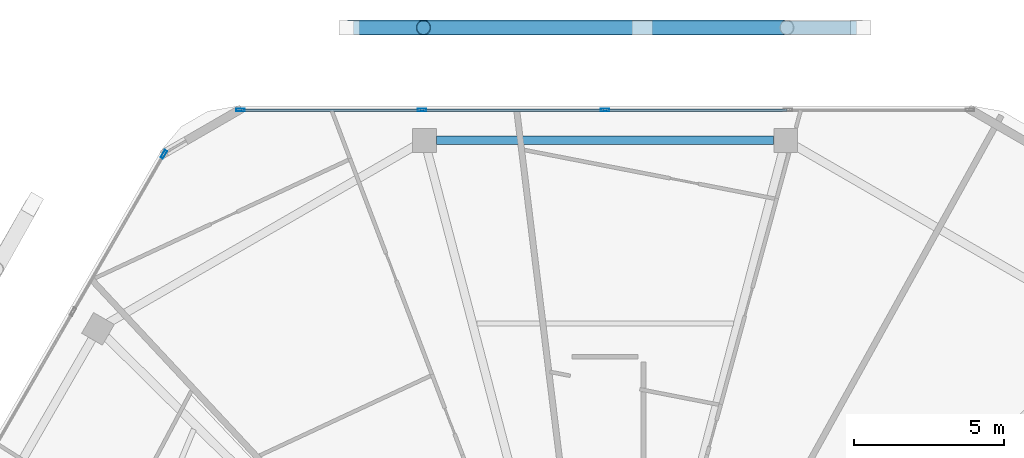
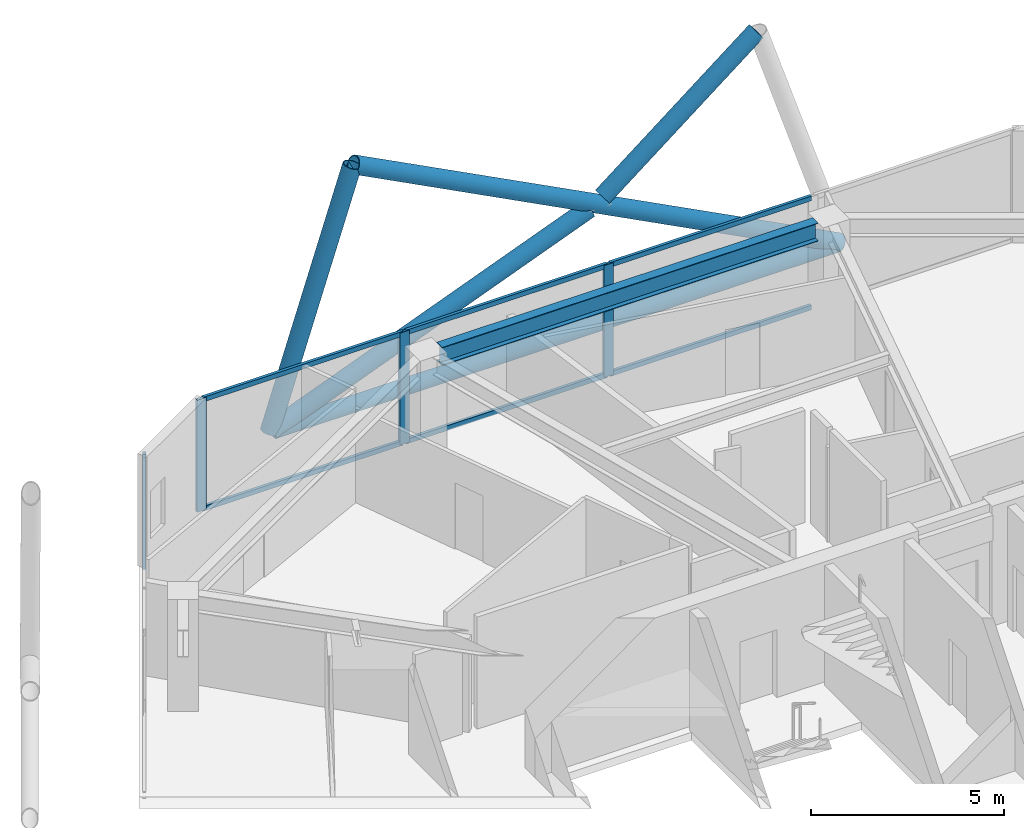
# One storey, part 11 of 23: 15 members, 1 beam, 2 elements without a shape of their own.
"""IFC4 building model written with IfcOpenShell, lengths in metres."""

from ifc_helpers import new_model, si_unit, direction, frame, origin, origin_2d, place, context, subcontext, project, spatial, hollow_rectangle, hollow_circle, i_section, extrude, material, material_profile, profile_set, type_object, element, aggregate, save


model = new_model("IFC4")

# Units and contexts
model_context = context("Model", 3, precision=1e-05, world=origin(), true_north=direction((0.0, 1.0)))
body_context = subcontext(model_context, "Body", "Model", "MODEL_VIEW")
ifc_project = project(units=[si_unit("LENGTHUNIT", "METRE"), si_unit("AREAUNIT", "SQUARE_METRE"), si_unit("VOLUMEUNIT", "CUBIC_METRE"), si_unit("PLANEANGLEUNIT", "RADIAN"), si_unit("MASSUNIT", "GRAM", prefix="KILO")], contexts=[model_context])

# Site, building, storey
site_placement = place(None, origin())
site = spatial("IfcSite", under=ifc_project, at=site_placement, CompositionType="ELEMENT")
building_placement = place(site_placement, origin())
building = spatial("IfcBuilding", under=site, at=building_placement, Name="Zuhravey Tower", CompositionType="ELEMENT")
storey_placement = place(building_placement, frame((0.0, 0.0, 331.0)))
storey = spatial("IfcBuildingStorey", under=building, at=storey_placement, Name="L84", CompositionType="ELEMENT", Elevation=331.0)

# Curtain wall, member
ifc_material_1 = material(Name="Thermally broken anodised aluminium", Category="aluminium")
curtain_wall_type = type_object("IfcCurtainWallType", Name="Zone 3-4 High-Rise Curtain Wall CW4", PredefinedType="NOTDEFINED", material=ifc_material_1)
curtain_wall_1_placement = place(storey_placement, origin())
curtain_wall_1 = element("IfcCurtainWall", 1, at=curtain_wall_1_placement, inside=storey, type_object=curtain_wall_type, Name="L84 CW4 CW-L84-F3-1", PredefinedType="NOTDEFINED")
ifc_material_2 = material(Name="Anodised aluminium", Category="aluminium")
ifc_material_profile_1 = material_profile(ifc_material_2, hollow_rectangle(XDim=0.090087890625, YDim=0.284912109375, WallThickness=0.0048828125, at=origin_2d()), Name="ALU-RHS-90x285x5")
ifc_profile_set_1 = profile_set([ifc_material_profile_1], Name="Anodised aluminium")
member_type_1 = type_object("IfcMemberType", Name="Curtain-Wall Mullion 90x180", PredefinedType="MULLION", material=ifc_profile_set_1)
member_1_placement = place(storey_placement, frame((21.248291015625, 54.59765625, 0.0), z_axis=(0.0, 0.0, 1.0), x_axis=(-0.866025511541, 0.49999981336, 0.0)))
member_1 = element("IfcMember", 2, at=member_1_placement, type_object=member_type_1, Name="CW4 mullion 5", PredefinedType="MULLION", context=body_context, shape_type="SweptSolid", body=[
    extrude(hollow_rectangle(XDim=0.090087890625, YDim=0.284912109375, WallThickness=0.0048828125, at=origin_2d()), origin(), (0.0, 0.0, 1.0), 3.550048828125),
])
aggregate(curtain_wall_1, [member_1])

# Curtain wall, members
curtain_wall_2_placement = place(storey_placement, origin())
curtain_wall_2 = element("IfcCurtainWall", 3, at=curtain_wall_2_placement, inside=storey, type_object=curtain_wall_type, Name="L84 CW4 CW-L84-F2-1", PredefinedType="NOTDEFINED")
member_2_placement = place(storey_placement, frame((23.8056640625, 56.07421875, 0.0), z_axis=(0.0, 0.0, 1.0), x_axis=(0.0, 1.0, 0.0)))
member_2 = element("IfcMember", 4, at=member_2_placement, type_object=member_type_1, Name="CW4 mullion 1", PredefinedType="MULLION", context=body_context, shape_type="SweptSolid", body=[
    extrude(hollow_rectangle(XDim=0.090087890625, YDim=0.284912109375, WallThickness=0.0048828125, at=origin_2d()), origin(), (0.0, 0.0, 1.0), 3.550048828125),
])
member_3_placement = place(storey_placement, frame((29.88037109375, 56.07421875, 0.0), z_axis=(0.0, 0.0, 1.0), x_axis=(0.0, 1.0, 0.0)))
member_3 = element("IfcMember", 5, at=member_3_placement, type_object=member_type_1, Name="CW4 mullion 2", PredefinedType="MULLION", context=body_context, shape_type="SweptSolid", body=[
    extrude(hollow_rectangle(XDim=0.090087890625, YDim=0.284912109375, WallThickness=0.0048828125, at=origin_2d()), origin(), (0.0, 0.0, 1.0), 3.550048828125),
])
member_4_placement = place(storey_placement, frame((36.0, 56.07421875, 0.0), z_axis=(0.0, 0.0, 1.0), x_axis=(0.0, 1.0, 0.0)))
member_4 = element("IfcMember", 6, at=member_4_placement, type_object=member_type_1, Name="CW4 mullion 3", PredefinedType="MULLION", context=body_context, shape_type="SweptSolid", body=[
    extrude(hollow_rectangle(XDim=0.090087890625, YDim=0.284912109375, WallThickness=0.0048828125, at=origin_2d()), origin(), (0.0, 0.0, 1.0), 3.550048828125),
])
ifc_material_profile_2 = material_profile(ifc_material_2, hollow_rectangle(XDim=0.090087890625, YDim=0.14990234375, WallThickness=0.0048828125, at=origin_2d()), Name="ALU-RHS-90x150x5")
ifc_profile_set_2 = profile_set([ifc_material_profile_2], Name="Anodised aluminium")
member_type_2 = type_object("IfcMemberType", Name="Curtain-Wall Transom 90x150", PredefinedType="USERDEFINED", material=ifc_profile_set_2)
member_5_placement = place(storey_placement, frame((23.8505859375, 56.07421875, 0.044921875), z_axis=(1.0, 0.0, 0.0), x_axis=(0.0, 1.0, 0.0)))
member_5 = element("IfcMember", 7, at=member_5_placement, type_object=member_type_2, Name="CW4 transom 1.1", ObjectType="TRANSOM", PredefinedType="USERDEFINED", context=body_context, shape_type="SweptSolid", body=[
    extrude(hollow_rectangle(XDim=0.090087890625, YDim=0.14990234375, WallThickness=0.0048828125, at=origin_2d()), origin(), (0.0, 0.0, 1.0), 5.98486328125),
])
member_6_placement = place(storey_placement, frame((23.8505859375, 56.07421875, 3.5048828125), z_axis=(1.0, 0.0, 0.0), x_axis=(0.0, 1.0, 0.0)))
member_6 = element("IfcMember", 8, at=member_6_placement, type_object=member_type_2, Name="CW4 transom 1.2", ObjectType="TRANSOM", PredefinedType="USERDEFINED", context=body_context, shape_type="SweptSolid", body=[
    extrude(hollow_rectangle(XDim=0.090087890625, YDim=0.14990234375, WallThickness=0.0048828125, at=origin_2d()), origin(), (0.0, 0.0, 1.0), 5.98486328125),
])
member_7_placement = place(storey_placement, frame((29.92529296875, 56.07421875, 0.044921875), z_axis=(1.0, 0.0, 0.0), x_axis=(0.0, 1.0, 0.0)))
member_7 = element("IfcMember", 9, at=member_7_placement, type_object=member_type_2, Name="CW4 transom 2.1", ObjectType="TRANSOM", PredefinedType="USERDEFINED", context=body_context, shape_type="SweptSolid", body=[
    extrude(hollow_rectangle(XDim=0.090087890625, YDim=0.14990234375, WallThickness=0.0048828125, at=origin_2d()), origin(), (0.0, 0.0, 1.0), 6.02978515625),
])
member_8_placement = place(storey_placement, frame((29.92529296875, 56.07421875, 3.5048828125), z_axis=(1.0, 0.0, 0.0), x_axis=(0.0, 1.0, 0.0)))
member_8 = element("IfcMember", 10, at=member_8_placement, type_object=member_type_2, Name="CW4 transom 2.2", ObjectType="TRANSOM", PredefinedType="USERDEFINED", context=body_context, shape_type="SweptSolid", body=[
    extrude(hollow_rectangle(XDim=0.090087890625, YDim=0.14990234375, WallThickness=0.0048828125, at=origin_2d()), origin(), (0.0, 0.0, 1.0), 6.02978515625),
])
member_9_placement = place(storey_placement, frame((36.044921875, 56.07421875, 0.044921875), z_axis=(1.0, 0.0, 0.0), x_axis=(0.0, 1.0, 0.0)))
member_9 = element("IfcMember", 11, at=member_9_placement, type_object=member_type_2, Name="CW4 transom 3.1", ObjectType="TRANSOM", PredefinedType="USERDEFINED", context=body_context, shape_type="SweptSolid", body=[
    extrude(hollow_rectangle(XDim=0.090087890625, YDim=0.14990234375, WallThickness=0.0048828125, at=origin_2d()), origin(), (0.0, 0.0, 1.0), 6.02978515625),
])
member_10_placement = place(storey_placement, frame((36.044921875, 56.07421875, 3.5048828125), z_axis=(1.0, 0.0, 0.0), x_axis=(0.0, 1.0, 0.0)))
member_10 = element("IfcMember", 12, at=member_10_placement, type_object=member_type_2, Name="CW4 transom 3.2", ObjectType="TRANSOM", PredefinedType="USERDEFINED", context=body_context, shape_type="SweptSolid", body=[
    extrude(hollow_rectangle(XDim=0.090087890625, YDim=0.14990234375, WallThickness=0.0048828125, at=origin_2d()), origin(), (0.0, 0.0, 1.0), 6.02978515625),
])
aggregate(curtain_wall_2, [member_2, member_3, member_4, member_5, member_6, member_7, member_8, member_9, member_10])

# Members
ifc_material_3 = material(Name="Steel SM355", Category="steel")
ifc_material_profile_3 = material_profile(ifc_material_3, hollow_circle(Radius=0.228515625, WallThickness=0.02197265625, at=origin_2d()), Name="CHS-457.2x22")
ifc_profile_set_3 = profile_set([ifc_material_profile_3], Name="Steel SM355")
member_type_3 = type_object("IfcMemberType", Name="Exoskeleton Ring Tie CHS457x22", PredefinedType="CHORD", material=ifc_profile_set_3)
member_11_placement = place(storey_placement, frame((44.409423828125, 58.833984375, -0.464111328125), z_axis=(-1.0, 0.0, 0.0), x_axis=(0.0, -1.0, 0.0)))
element("IfcMember", 13, at=member_11_placement, inside=storey, type_object=member_type_3, Name="L84 Exoskeleton Face 2 Tie EXR1", PredefinedType="CHORD", context=body_context, shape_type="SweptSolid", body=[
    extrude(hollow_circle(Radius=0.228515625, WallThickness=0.02197265625, at=origin_2d()), origin(), (0.0, 0.0, 1.0), 16.81884765625),
])
ifc_material_profile_4 = material_profile(ifc_material_3, hollow_circle(Radius=0.25390625, WallThickness=0.02490234375, at=origin_2d()), Name="CHS-508.0x25")
ifc_profile_set_4 = profile_set([ifc_material_profile_4], Name="Steel SM355")
member_type_4 = type_object("IfcMemberType", Name="Exoskeleton Zone 4 Diagrid CHS508x25", PredefinedType="BRACE", material=ifc_profile_set_4)
member_12_placement = place(storey_placement, frame((44.518798828125, 58.833984375, -0.447998046875), z_axis=(-0.887234343801, 0.0, 0.461318999371), x_axis=(0.0, -1.0, 0.0)))
element("IfcMember", 14, at=member_12_placement, inside=storey, type_object=member_type_4, Name="L84 Face 2 Diagrid Brace 2", PredefinedType="BRACE", context=body_context, shape_type="SweptSolid", body=[
    extrude(hollow_circle(Radius=0.25390625, WallThickness=0.02490234375, at=origin_2d()), origin(), (0.0, 0.0, 1.0), 16.4052734375),
])
member_13_placement = place(storey_placement, frame((27.455810546875, 58.833984375, -0.447998046875), z_axis=(0.310453809256, 0.0, 0.950588466329), x_axis=(0.0, 1.0, 0.0)))
element("IfcMember", 15, at=member_13_placement, inside=storey, type_object=member_type_4, Name="L84 Face 2 Diagrid Brace 4", PredefinedType="BRACE", context=body_context, shape_type="SweptSolid", body=[
    extrude(hollow_circle(Radius=0.25390625, WallThickness=0.02490234375, at=origin_2d()), origin(), (0.0, 0.0, 1.0), 7.96142578125),
])
member_14_placement = place(storey_placement, frame((27.48291015625, 58.833984375, -0.451416015625), z_axis=(0.93224199469, 0.0, 0.361835409179), x_axis=(0.0, 1.0, 0.0)))
element("IfcMember", 16, at=member_14_placement, inside=storey, type_object=member_type_4, Name="L84 Face 2 Split Diagrid Brace 3A", PredefinedType="BRACE", context=body_context, shape_type="SweptSolid", body=[
    extrude(hollow_circle(Radius=0.25390625, WallThickness=0.02490234375, at=origin_2d()), origin(), (0.0, 0.0, 1.0), 10.223388671875),
])
member_15_placement = place(storey_placement, frame((37.432861328125, 58.833984375, 3.487060546875), z_axis=(0.785695252291, 0.0, 0.618613749061), x_axis=(0.0, 1.0, 0.0)))
element("IfcMember", 17, at=member_15_placement, inside=storey, type_object=member_type_4, Name="L84 Face 2 Split Diagrid Brace 3B", PredefinedType="BRACE", context=body_context, shape_type="SweptSolid", body=[
    extrude(hollow_circle(Radius=0.25390625, WallThickness=0.02490234375, at=origin_2d()), origin(), (0.0, 0.0, 1.0), 5.86376953125),
])

# Beam
ifc_material_profile_5 = material_profile(ifc_material_3, i_section(OverallWidth=0.280029296875, OverallDepth=0.580078125, WebThickness=0.011962890625, FlangeThickness=0.01904296875, at=origin_2d()), Name="H-580x280x12x19")
ifc_profile_set_5 = profile_set([ifc_material_profile_5], Name="Steel SM355")
beam_type = type_object("IfcBeamType", Name="Perimeter Ring Beam H580x280", PredefinedType="BEAM", material=ifc_profile_set_5)
beam_placement = place(storey_placement, frame((41.6357421875, 55.064208984375, 3.260009765625), z_axis=(-1.0, 0.0, 0.0), x_axis=(0.0, -1.0, 0.0)))
element("IfcBeam", 18, at=beam_placement, inside=storey, type_object=beam_type, Name="L84 PB4 BM-L84-PB-03", PredefinedType="BEAM", context=body_context, shape_type="SweptSolid", body=[
    extrude(i_section(OverallWidth=0.280029296875, OverallDepth=0.580078125, WebThickness=0.011962890625, FlangeThickness=0.01904296875, at=origin_2d()), origin(), (0.0, 0.0, 1.0), 11.271484375),
])

save(model, "model.ifc")
